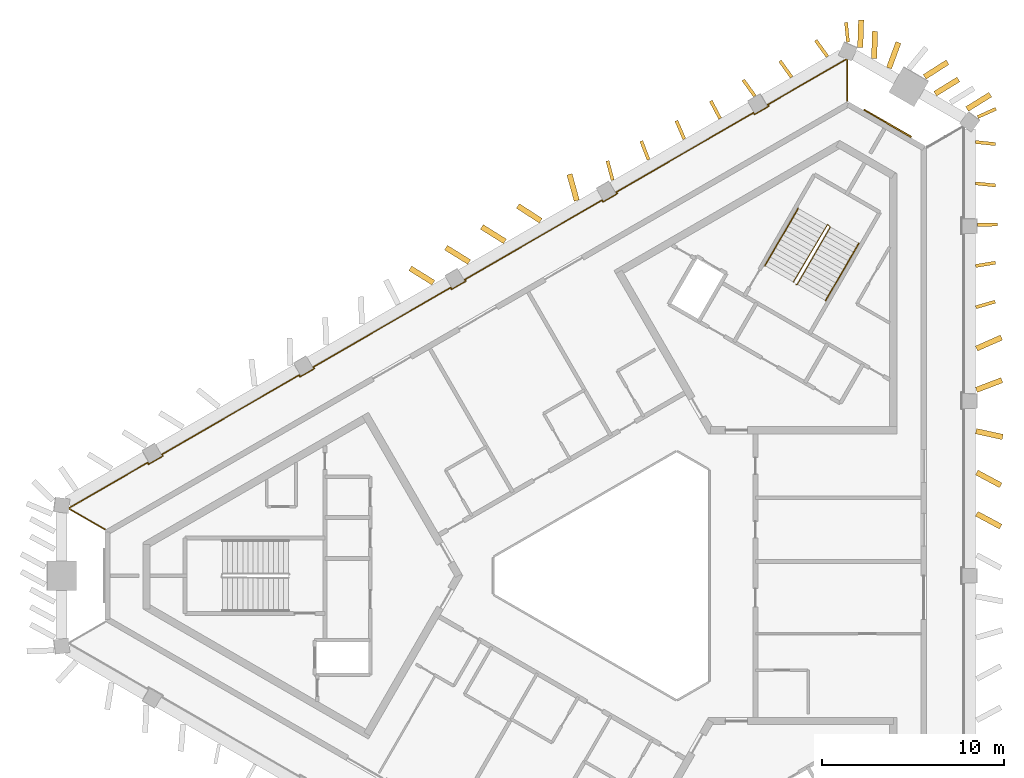
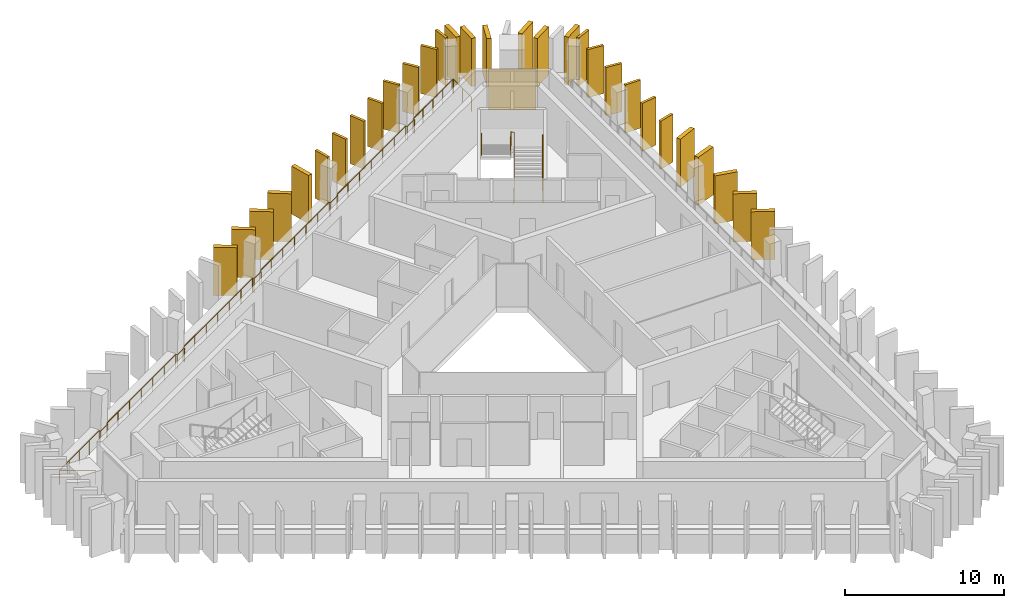
# One storey, part 9 of 10: 30 shading devices, 4 railings, 1 covering.
"""IFC4 building model written with IfcOpenShell, lengths in metres."""

from ifc_helpers import new_model, si_unit, direction, frame, frame_2d, origin, origin_2d, place, context, subcontext, project, spatial, rectangle, circle, extrude, material, layer, layer_set, type_object, element, save


model = new_model("IFC4")

# Units and contexts
model_context = context("Model", 3, precision=1e-05, world=origin(), true_north=direction((0.0, 1.0)))
body_context = subcontext(model_context, "Body", "Model", "MODEL_VIEW")
ifc_project = project(units=[si_unit("LENGTHUNIT", "METRE"), si_unit("AREAUNIT", "SQUARE_METRE"), si_unit("VOLUMEUNIT", "CUBIC_METRE"), si_unit("PLANEANGLEUNIT", "RADIAN"), si_unit("MASSUNIT", "GRAM", prefix="KILO")], contexts=[model_context])

# Site, building, storey
site_placement = place(None, origin())
site = spatial("IfcSite", under=ifc_project, at=site_placement, CompositionType="ELEMENT")
building_placement = place(site_placement, origin())
building = spatial("IfcBuilding", under=site, at=building_placement, Name="Jabali Bay Hotel Tower and Convention Centre", CompositionType="ELEMENT")
storey_placement = place(building_placement, frame((0.0, 0.0, 284.89990234375)))
storey = spatial("IfcBuildingStorey", under=building, at=storey_placement, Name="L70", CompositionType="ELEMENT", Elevation=284.89990234375)

# Railing
ifc_material_1 = material(Name="Glass", Category="glass")
railing_type_1 = type_object("IfcRailingType", Name="Loggia glass guard 1100", PredefinedType="BALUSTRADE", material=ifc_material_1)
railing_1_placement = place(storey_placement, frame((46.308349609375, 82.549560546875, 0.0)))
element("IfcRailing", 1, at=railing_1_placement, inside=storey, type_object=railing_type_1, Name="Loggia glass guard L70", PredefinedType="BALUSTRADE", context=body_context, shape_type="SweptSolid", body=[
    extrude(circle(Radius=0.02490234375, at=origin_2d()), frame((0.0, 0.0, 1.0751953125), z_axis=(-0.865989003036, 0.500063042646, 0.0), x_axis=(-0.495784933994, -0.858580347067, 0.13052619222)), (0.0, 0.0, 1.0), 2.275146484375),
    extrude(circle(Radius=0.02490234375, at=origin_2d()), frame((-1.97021484375, 1.1376953125, 1.0751953125), z_axis=(0.124843395554, 0.9921764594, 0.0), x_axis=(-0.983688252248, 0.123775342998, 0.13052619222)), (0.0, 0.0, 1.0), 0.037109375),
    extrude(circle(Radius=0.02490234375, at=origin_2d()), frame((-1.965576171875, 1.174560546875, 1.0751953125), z_axis=(0.86602359872, 0.50000312645, 0.0), x_axis=(-0.495725530389, 0.85861464678, 0.13052619222)), (0.0, 0.0, 1.0), 4.99462890625),
    extrude(circle(Radius=0.02490234375, at=origin_2d()), frame((2.35986328125, 3.671875, 1.0751953125), z_axis=(0.500074377092, -0.865982457891, 0.0), x_axis=(0.858573857916, 0.495796171473, 0.13052619222)), (0.0, 0.0, 1.0), 0.10009765625),
    extrude(circle(Radius=0.02490234375, at=origin_2d()), frame((2.409912109375, 3.585205078125, 1.0751953125), z_axis=(0.865896406789, 0.500223362819, 0.0), x_axis=(-0.495943882606, 0.858488542993, 0.13052619222)), (0.0, 0.0, 1.0), 0.89990234375),
    extrude(circle(Radius=0.02490234375, at=origin_2d()), frame((3.189208984375, 4.035400390625, 1.0751953125), z_axis=(-0.499298623879, 0.866429964967, 0.0), x_axis=(-0.859017536507, -0.495027054936, 0.13052619222)), (0.0, 0.0, 1.0), 0.099853515625),
    extrude(circle(Radius=0.02490234375, at=origin_2d()), frame((3.139404296875, 4.121826171875, 1.0751953125), z_axis=(0.866019164606, 0.500010806419, 0.0), x_axis=(-0.495733144656, 0.858610250599, 0.13052619222)), (0.0, 0.0, 1.0), 8.721435546875),
    extrude(circle(Radius=0.02490234375, at=origin_2d()), frame((10.6923828125, 8.482666015625, 1.0751953125), z_axis=(0.501132629342, -0.865370491644, 0.0), x_axis=(0.857967127125, 0.496845370228, 0.13052619222)), (0.0, 0.0, 1.0), 0.099853515625),
    extrude(circle(Radius=0.02490234375, at=origin_2d()), frame((10.742431640625, 8.396240234375, 1.0751953125), z_axis=(0.866081705922, 0.499902469156, 0.0), x_axis=(-0.495625734232, 0.858672256866, 0.13052619222)), (0.0, 0.0, 1.0), 0.900146484375),
    extrude(circle(Radius=0.02490234375, at=origin_2d()), frame((11.52197265625, 8.84619140625, 1.0751953125), z_axis=(-0.501132629342, 0.865370491644, 0.0), x_axis=(-0.857967127125, -0.496845370228, 0.13052619222)), (0.0, 0.0, 1.0), 0.099853515625),
    extrude(circle(Radius=0.02490234375, at=origin_2d()), frame((11.471923828125, 8.9326171875, 1.0751953125), z_axis=(0.866019164606, 0.500010806419, 0.0), x_axis=(-0.495733144656, 0.858610250599, 0.13052619222)), (0.0, 0.0, 1.0), 8.721435546875),
    extrude(circle(Radius=0.02490234375, at=origin_2d()), frame((19.02490234375, 13.29345703125, 1.0751953125), z_axis=(0.501132629342, -0.865370491644, 0.0), x_axis=(0.857967127125, 0.496845370228, 0.13052619222)), (0.0, 0.0, 1.0), 0.099853515625),
    extrude(circle(Radius=0.02490234375, at=origin_2d()), frame((19.074951171875, 13.20703125, 1.0751953125), z_axis=(0.866081705922, 0.499902469156, 0.0), x_axis=(-0.495625734232, 0.858672256866, 0.13052619222)), (0.0, 0.0, 1.0), 0.900146484375),
    extrude(circle(Radius=0.02490234375, at=origin_2d()), frame((19.8544921875, 13.656982421875, 1.0751953125), z_axis=(-0.500074377092, 0.865982457891, 0.0), x_axis=(-0.858573857916, -0.495796171473, 0.13052619222)), (0.0, 0.0, 1.0), 0.10009765625),
    extrude(circle(Radius=0.02490234375, at=origin_2d()), frame((19.804443359375, 13.74365234375, 1.0751953125), z_axis=(0.866038283822, 0.499977690457, 0.0), x_axis=(-0.495700312005, 0.858629206248, 0.13052619222)), (0.0, 0.0, 1.0), 8.7216796875),
    extrude(circle(Radius=0.02490234375, at=origin_2d()), frame((27.357666015625, 18.104248046875, 1.0751953125), z_axis=(0.499298623879, -0.866429964967, 0.0), x_axis=(0.859017536507, 0.495027054936, 0.13052619222)), (0.0, 0.0, 1.0), 0.099853515625),
    extrude(circle(Radius=0.02490234375, at=origin_2d()), frame((27.407470703125, 18.017822265625, 1.0751953125), z_axis=(0.866081705922, 0.499902469156, 0.0), x_axis=(-0.495625734232, 0.858672256866, 0.13052619222)), (0.0, 0.0, 1.0), 0.900146484375),
    extrude(circle(Radius=0.02490234375, at=origin_2d()), frame((28.18701171875, 18.4677734375, 1.0751953125), z_axis=(-0.500074377092, 0.865982457891, 0.0), x_axis=(-0.858573857916, -0.495796171473, 0.13052619222)), (0.0, 0.0, 1.0), 0.10009765625),
    extrude(circle(Radius=0.02490234375, at=origin_2d()), frame((28.136962890625, 18.554443359375, 1.0751953125), z_axis=(0.866038283822, 0.499977690457, 0.0), x_axis=(-0.495700312005, 0.858629206248, 0.13052619222)), (0.0, 0.0, 1.0), 8.7216796875),
    extrude(circle(Radius=0.02490234375, at=origin_2d()), frame((35.690185546875, 22.9150390625, 1.0751953125), z_axis=(0.501132629342, -0.865370491644, 0.0), x_axis=(0.857967127125, 0.496845370228, 0.13052619222)), (0.0, 0.0, 1.0), 0.099853515625),
    extrude(circle(Radius=0.02490234375, at=origin_2d()), frame((35.740234375, 22.82861328125, 1.0751953125), z_axis=(0.866013897511, 0.50001992892, 0.0), x_axis=(-0.495742189112, 0.858605028566, 0.13052619222)), (0.0, 0.0, 1.0), 0.89990234375),
    extrude(circle(Radius=0.02490234375, at=origin_2d()), frame((36.51953125, 23.278564453125, 1.0751953125), z_axis=(-0.500074377092, 0.865982457891, 0.0), x_axis=(-0.858573857916, -0.495796171473, 0.13052619222)), (0.0, 0.0, 1.0), 0.10009765625),
    extrude(circle(Radius=0.02490234375, at=origin_2d()), frame((36.469482421875, 23.365234375, 1.0751953125), z_axis=(0.86602359872, 0.50000312645, 0.0), x_axis=(-0.495725530389, 0.85861464678, 0.13052619222)), (0.0, 0.0, 1.0), 4.99462890625),
    extrude(circle(Radius=0.02490234375, at=origin_2d()), frame((40.794921875, 25.862548828125, 1.0751953125), z_axis=(0.920154635629, -0.391555164097, 0.0), x_axis=(0.388205355389, 0.912282585163, 0.13052619222)), (0.0, 0.0, 1.0), 0.037353515625),
    extrude(circle(Radius=0.02490234375, at=origin_2d()), frame((40.829345703125, 25.847900390625, 1.0751953125), z_axis=(0.0, -1.0, 0.0), x_axis=(0.991444861374, 0.0, 0.13052619222)), (0.0, 0.0, 1.0), 2.27490234375),
    extrude(circle(Radius=0.02001953125, at=origin_2d()), origin(), (0.0, 0.0, 1.0), 1.050048828125),
    extrude(circle(Radius=0.02001953125, at=origin_2d()), frame((-0.985107421875, 0.56884765625, 0.0)), (0.0, 0.0, 1.0), 1.050048828125),
    extrude(circle(Radius=0.02001953125, at=origin_2d()), frame((-1.97021484375, 1.1376953125, 0.0)), (0.0, 0.0, 1.0), 1.050048828125),
    extrude(circle(Radius=0.02001953125, at=origin_2d()), frame((-1.965576171875, 1.174560546875, 0.0)), (0.0, 0.0, 1.0), 1.050048828125),
    extrude(circle(Radius=0.02001953125, at=origin_2d()), frame((-0.88427734375, 1.798828125, 0.0)), (0.0, 0.0, 1.0), 1.050048828125),
    extrude(circle(Radius=0.02001953125, at=origin_2d()), frame((0.197265625, 2.42333984375, 0.0)), (0.0, 0.0, 1.0), 1.050048828125),
    extrude(circle(Radius=0.02001953125, at=origin_2d()), frame((1.278564453125, 3.047607421875, 0.0)), (0.0, 0.0, 1.0), 1.050048828125),
    extrude(circle(Radius=0.02001953125, at=origin_2d()), frame((2.35986328125, 3.671875, 0.0)), (0.0, 0.0, 1.0), 1.050048828125),
    extrude(circle(Radius=0.02001953125, at=origin_2d()), frame((2.409912109375, 3.585205078125, 0.0)), (0.0, 0.0, 1.0), 1.050048828125),
    extrude(circle(Radius=0.02001953125, at=origin_2d()), frame((3.189208984375, 4.035400390625, 0.0)), (0.0, 0.0, 1.0), 1.050048828125),
    extrude(circle(Radius=0.02001953125, at=origin_2d()), frame((3.139404296875, 4.121826171875, 0.0)), (0.0, 0.0, 1.0), 1.050048828125),
    extrude(circle(Radius=0.02001953125, at=origin_2d()), frame((4.398193359375, 4.8486328125, 0.0)), (0.0, 0.0, 1.0), 1.050048828125),
    extrude(circle(Radius=0.02001953125, at=origin_2d()), frame((5.656982421875, 5.575439453125, 0.0)), (0.0, 0.0, 1.0), 1.050048828125),
    extrude(circle(Radius=0.02001953125, at=origin_2d()), frame((6.916015625, 6.30224609375, 0.0)), (0.0, 0.0, 1.0), 1.050048828125),
    extrude(circle(Radius=0.02001953125, at=origin_2d()), frame((8.1748046875, 7.029052734375, 0.0)), (0.0, 0.0, 1.0), 1.050048828125),
    extrude(circle(Radius=0.02001953125, at=origin_2d()), frame((9.43359375, 7.755859375, 0.0)), (0.0, 0.0, 1.0), 1.050048828125),
    extrude(circle(Radius=0.02001953125, at=origin_2d()), frame((10.6923828125, 8.482666015625, 0.0)), (0.0, 0.0, 1.0), 1.050048828125),
    extrude(circle(Radius=0.02001953125, at=origin_2d()), frame((10.742431640625, 8.396240234375, 0.0)), (0.0, 0.0, 1.0), 1.050048828125),
    extrude(circle(Radius=0.02001953125, at=origin_2d()), frame((11.52197265625, 8.84619140625, 0.0)), (0.0, 0.0, 1.0), 1.050048828125),
    extrude(circle(Radius=0.02001953125, at=origin_2d()), frame((11.471923828125, 8.9326171875, 0.0)), (0.0, 0.0, 1.0), 1.050048828125),
    extrude(circle(Radius=0.02001953125, at=origin_2d()), frame((12.730712890625, 9.659423828125, 0.0)), (0.0, 0.0, 1.0), 1.050048828125),
    extrude(circle(Radius=0.02001953125, at=origin_2d()), frame((13.989501953125, 10.38623046875, 0.0)), (0.0, 0.0, 1.0), 1.050048828125),
    extrude(circle(Radius=0.02001953125, at=origin_2d()), frame((15.24853515625, 11.113037109375, 0.0)), (0.0, 0.0, 1.0), 1.050048828125),
    extrude(circle(Radius=0.02001953125, at=origin_2d()), frame((16.50732421875, 11.83984375, 0.0)), (0.0, 0.0, 1.0), 1.050048828125),
    extrude(circle(Radius=0.02001953125, at=origin_2d()), frame((17.76611328125, 12.566650390625, 0.0)), (0.0, 0.0, 1.0), 1.050048828125),
    extrude(circle(Radius=0.02001953125, at=origin_2d()), frame((19.02490234375, 13.29345703125, 0.0)), (0.0, 0.0, 1.0), 1.050048828125),
    extrude(circle(Radius=0.02001953125, at=origin_2d()), frame((19.074951171875, 13.20703125, 0.0)), (0.0, 0.0, 1.0), 1.050048828125),
    extrude(circle(Radius=0.02001953125, at=origin_2d()), frame((19.8544921875, 13.656982421875, 0.0)), (0.0, 0.0, 1.0), 1.050048828125),
    extrude(circle(Radius=0.02001953125, at=origin_2d()), frame((19.804443359375, 13.74365234375, 0.0)), (0.0, 0.0, 1.0), 1.050048828125),
    extrude(circle(Radius=0.02001953125, at=origin_2d()), frame((21.063232421875, 14.470458984375, 0.0)), (0.0, 0.0, 1.0), 1.050048828125),
    extrude(circle(Radius=0.02001953125, at=origin_2d()), frame((22.322265625, 15.197265625, 0.0)), (0.0, 0.0, 1.0), 1.050048828125),
    extrude(circle(Radius=0.02001953125, at=origin_2d()), frame((23.5810546875, 15.923828125, 0.0)), (0.0, 0.0, 1.0), 1.050048828125),
    extrude(circle(Radius=0.02001953125, at=origin_2d()), frame((24.83984375, 16.650634765625, 0.0)), (0.0, 0.0, 1.0), 1.050048828125),
    extrude(circle(Radius=0.02001953125, at=origin_2d()), frame((26.098876953125, 17.37744140625, 0.0)), (0.0, 0.0, 1.0), 1.050048828125),
    extrude(circle(Radius=0.02001953125, at=origin_2d()), frame((27.357666015625, 18.104248046875, 0.0)), (0.0, 0.0, 1.0), 1.050048828125),
    extrude(circle(Radius=0.02001953125, at=origin_2d()), frame((27.407470703125, 18.017822265625, 0.0)), (0.0, 0.0, 1.0), 1.050048828125),
    extrude(circle(Radius=0.02001953125, at=origin_2d()), frame((28.18701171875, 18.4677734375, 0.0)), (0.0, 0.0, 1.0), 1.050048828125),
    extrude(circle(Radius=0.02001953125, at=origin_2d()), frame((28.136962890625, 18.554443359375, 0.0)), (0.0, 0.0, 1.0), 1.050048828125),
    extrude(circle(Radius=0.02001953125, at=origin_2d()), frame((29.395751953125, 19.28125, 0.0)), (0.0, 0.0, 1.0), 1.050048828125),
    extrude(circle(Radius=0.02001953125, at=origin_2d()), frame((30.65478515625, 20.008056640625, 0.0)), (0.0, 0.0, 1.0), 1.050048828125),
    extrude(circle(Radius=0.02001953125, at=origin_2d()), frame((31.91357421875, 20.73486328125, 0.0)), (0.0, 0.0, 1.0), 1.050048828125),
    extrude(circle(Radius=0.02001953125, at=origin_2d()), frame((33.17236328125, 21.46142578125, 0.0)), (0.0, 0.0, 1.0), 1.050048828125),
    extrude(circle(Radius=0.02001953125, at=origin_2d()), frame((34.431396484375, 22.188232421875, 0.0)), (0.0, 0.0, 1.0), 1.050048828125),
    extrude(circle(Radius=0.02001953125, at=origin_2d()), frame((35.690185546875, 22.9150390625, 0.0)), (0.0, 0.0, 1.0), 1.050048828125),
    extrude(circle(Radius=0.02001953125, at=origin_2d()), frame((35.740234375, 22.82861328125, 0.0)), (0.0, 0.0, 1.0), 1.050048828125),
    extrude(circle(Radius=0.02001953125, at=origin_2d()), frame((36.51953125, 23.278564453125, 0.0)), (0.0, 0.0, 1.0), 1.050048828125),
    extrude(circle(Radius=0.02001953125, at=origin_2d()), frame((36.469482421875, 23.365234375, 0.0)), (0.0, 0.0, 1.0), 1.050048828125),
    extrude(circle(Radius=0.02001953125, at=origin_2d()), frame((37.55078125, 23.989501953125, 0.0)), (0.0, 0.0, 1.0), 1.050048828125),
    extrude(circle(Radius=0.02001953125, at=origin_2d()), frame((38.63232421875, 24.61376953125, 0.0)), (0.0, 0.0, 1.0), 1.050048828125),
    extrude(circle(Radius=0.02001953125, at=origin_2d()), frame((39.713623046875, 25.23828125, 0.0)), (0.0, 0.0, 1.0), 1.050048828125),
    extrude(circle(Radius=0.02001953125, at=origin_2d()), frame((40.794921875, 25.862548828125, 0.0)), (0.0, 0.0, 1.0), 1.050048828125),
    extrude(circle(Radius=0.02001953125, at=origin_2d()), frame((40.829345703125, 25.847900390625, 0.0)), (0.0, 0.0, 1.0), 1.050048828125),
    extrude(circle(Radius=0.02001953125, at=origin_2d()), frame((40.829345703125, 24.71044921875, 0.0)), (0.0, 0.0, 1.0), 1.050048828125),
    extrude(circle(Radius=0.02001953125, at=origin_2d()), frame((40.829345703125, 23.572998046875, 0.0)), (0.0, 0.0, 1.0), 1.050048828125),
])

# Shading devices
ifc_material_2 = material(Name="Precast concrete C60", Category="concrete")
ifc_layer_1 = layer(ifc_material_2, 0.179931640625)
ifc_layer_set_1 = layer_set([ifc_layer_1], Name="Precast concrete C60")
shading_device_type_1 = type_object("IfcShadingDeviceType", Name="Precast fin 3680 x 1100", PredefinedType="USERDEFINED", material=ifc_layer_set_1)
shading_device_1_placement = place(storey_placement, frame((94.221435546875, 94.76513671875, 0.010009765625), z_axis=(0.0, 0.0, 1.0), x_axis=(0.960163902038, 0.279437437047, 0.0)))
element("IfcShadingDevice", 2, at=shading_device_1_placement, inside=storey, type_object=shading_device_type_1, Name="Fin L70 017", ObjectType="FIN", PredefinedType="USERDEFINED", context=body_context, shape_type="SweptSolid", body=[
    extrude(rectangle(XDim=1.099853515625, YDim=0.179931640625, at=frame_2d((0.5498046875, 0.0))), origin(), (0.0, 0.0, 1.0), 3.68017578125),
])
shading_device_2_placement = place(storey_placement, frame((94.2109375, 97.036865234375, 0.010009765625), z_axis=(0.0, 0.0, 1.0), x_axis=(0.986531540349, 0.163571146285, 0.0)))
element("IfcShadingDevice", 3, at=shading_device_2_placement, inside=storey, type_object=shading_device_type_1, Name="Fin L70 018", ObjectType="FIN", PredefinedType="USERDEFINED", context=body_context, shape_type="SweptSolid", body=[
    extrude(rectangle(XDim=1.10009765625, YDim=0.179931640625, at=frame_2d((0.550048828125, 0.0))), origin(), (0.0, 0.0, 1.0), 3.68017578125),
])
shading_device_3_placement = place(storey_placement, frame((94.30419921875, 99.308349609375, 0.010009765625), z_axis=(0.0, 0.0, 1.0), x_axis=(0.999991106313, 0.004217498562, 0.0)))
element("IfcShadingDevice", 4, at=shading_device_3_placement, inside=storey, type_object=shading_device_type_1, Name="Fin L70 019", ObjectType="FIN", PredefinedType="USERDEFINED", context=body_context, shape_type="SweptSolid", body=[
    extrude(rectangle(XDim=1.099853515625, YDim=0.179931640625, at=frame_2d((0.5498046875, 0.0))), origin(), (0.0, 0.0, 1.0), 3.68017578125),
])
for number, where, z_axis, x_axis, name in (
    (5, (94.20556640625, 101.580078125, 0.010009765625), (0.0, 0.0, 1.0), (0.994498153958, -0.104754101466, 0.0), "Fin L70 020"),
    (6, (94.205322265625, 103.8515625, 0.010009765625), (0.0, 0.0, 1.0), (0.994911154458, -0.100756115129, 0.0), "Fin L70 021"),
    (7, (86.053466796875, 108.557861328125, 0.010009765625), (0.0, 0.0, 1.0), (-0.583251843698, 0.812291380493, 0.0), "Fin L70 030"),
    (8, (84.086181640625, 107.422119140625, 0.010009765625), (0.0, 0.0, 1.0), (-0.583649766244, 0.812005511288, 0.0), "Fin L70 031"),
):
    element("IfcShadingDevice", number, at=place(storey_placement, frame(where, z_axis=z_axis, x_axis=x_axis)), inside=storey, type_object=shading_device_type_1, Name=name, ObjectType="FIN", PredefinedType="USERDEFINED", context=body_context, shape_type="SweptSolid", body=[
        extrude(rectangle(XDim=1.10009765625, YDim=0.179931640625, at=frame_2d((0.550048828125, 0.0))), origin(), (0.0, 0.0, 1.0), 3.68017578125),
    ])
shading_device_4_placement = place(storey_placement, frame((82.065185546875, 106.379638671875, 0.010009765625), z_axis=(0.0, 0.0, 1.0), x_axis=(-0.584655511421, 0.811281660685, 0.0)))
element("IfcShadingDevice", 9, at=shading_device_4_placement, inside=storey, type_object=shading_device_type_1, Name="Fin L70 032", ObjectType="FIN", PredefinedType="USERDEFINED", context=body_context, shape_type="SweptSolid", body=[
    extrude(rectangle(XDim=1.099853515625, YDim=0.179931640625, at=frame_2d((0.5498046875, 0.0))), origin(), (0.0, 0.0, 1.0), 3.68017578125),
])
shading_device_5_placement = place(storey_placement, frame((80.154541015625, 105.145751953125, 0.010009765625), z_axis=(0.0, 0.0, 1.0), x_axis=(-0.468744081519, 0.883334017256, 0.0)))
element("IfcShadingDevice", 10, at=shading_device_5_placement, inside=storey, type_object=shading_device_type_1, Name="Fin L70 033", ObjectType="FIN", PredefinedType="USERDEFINED", context=body_context, shape_type="SweptSolid", body=[
    extrude(rectangle(XDim=1.10009765625, YDim=0.179931640625, at=frame_2d((0.550048828125, 0.0))), origin(), (0.0, 0.0, 1.0), 3.68017578125),
])
for number, where, z_axis, x_axis, name in (
    (11, (78.183837890625, 104.01611328125, 0.010009765625), (0.0, 0.0, 1.0), (-0.397345778895, 0.917668966455, 0.0), "Fin L70 034"),
    (12, (76.21484375, 102.88330078125, 0.010009765625), (0.0, 0.0, 1.0), (-0.361342777702, 0.93243305229, 0.0), "Fin L70 035"),
    (13, (74.242919921875, 101.755615234375, 0.010009765625), (0.0, 0.0, 1.0), (-0.258795254151, 0.965932200741, 0.0), "Fin L70 036"),
):
    element("IfcShadingDevice", number, at=place(storey_placement, frame(where, z_axis=z_axis, x_axis=x_axis)), inside=storey, type_object=shading_device_type_1, Name=name, ObjectType="FIN", PredefinedType="USERDEFINED", context=body_context, shape_type="SweptSolid", body=[
        extrude(rectangle(XDim=1.099853515625, YDim=0.179931640625, at=frame_2d((0.5498046875, 0.0))), origin(), (0.0, 0.0, 1.0), 3.68017578125),
    ])
for number, where, z_axis, x_axis, name in (
    (14, (94.320068359375, 105.227783203125, 0.010009765625), (0.0, 0.0, 1.0), (0.911722068497, 0.41080758247, 0.0), "Fin L70 091"),
    (15, (87.187744140625, 109.345458984375, 0.010009765625), (0.0, 0.0, 1.0), (-0.098976370127, 0.995089783967, 0.0), "Fin L70 092"),
):
    element("IfcShadingDevice", number, at=place(storey_placement, frame(where, z_axis=z_axis, x_axis=x_axis)), inside=storey, type_object=shading_device_type_1, Name=name, ObjectType="FIN", PredefinedType="USERDEFINED", context=body_context, shape_type="SweptSolid", body=[
        extrude(rectangle(XDim=1.10009765625, YDim=0.179931640625, at=frame_2d((0.550048828125, 0.0))), origin(), (0.0, 0.0, 1.0), 3.68017578125),
    ])
ifc_layer_2 = layer(ifc_material_2, 0.300048828125)
ifc_layer_set_2 = layer_set([ifc_layer_2], Name="Precast concrete C60")
shading_device_type_2 = type_object("IfcShadingDeviceType", Name="Precast fin 3680 x 1500", PredefinedType="USERDEFINED", material=ifc_layer_set_2)
shading_device_6_placement = place(storey_placement, frame((94.26708984375, 83.407470703125, 0.010009765625), z_axis=(0.0, 0.0, 1.0), x_axis=(0.881097417694, -0.472934816368, 0.0)))
element("IfcShadingDevice", 16, at=shading_device_6_placement, inside=storey, type_object=shading_device_type_2, Name="Fin L70 012", ObjectType="FIN", PredefinedType="USERDEFINED", context=body_context, shape_type="SweptSolid", body=[
    extrude(rectangle(XDim=1.500244140625, YDim=0.300048828125, at=frame_2d((0.75, 0.0))), origin(), (0.0, 0.0, 1.0), 3.68017578125),
])
for number, where, z_axis, x_axis, name in (
    (17, (94.26708984375, 85.678955078125, 0.010009765625), (0.0, 0.0, 1.0), (0.881404945514, -0.472361431557, 0.0), "Fin L70 013"),
    (18, (94.228271484375, 87.950439453125, 0.010009765625), (0.0, 0.0, 1.0), (0.977041023503, -0.213051257665, 0.0), "Fin L70 014"),
):
    element("IfcShadingDevice", number, at=place(storey_placement, frame(where, z_axis=z_axis, x_axis=x_axis)), inside=storey, type_object=shading_device_type_2, Name=name, ObjectType="FIN", PredefinedType="USERDEFINED", context=body_context, shape_type="SweptSolid", body=[
        extrude(rectangle(XDim=1.5, YDim=0.300048828125, at=frame_2d((0.75, 0.0))), origin(), (0.0, 0.0, 1.0), 3.68017578125),
    ])
shading_device_7_placement = place(storey_placement, frame((94.249755859375, 90.22216796875, 0.010009765625), z_axis=(0.0, 0.0, 1.0), x_axis=(0.934361319547, 0.356326991026, 0.0)))
element("IfcShadingDevice", 19, at=shading_device_7_placement, inside=storey, type_object=shading_device_type_2, Name="Fin L70 015", ObjectType="FIN", PredefinedType="USERDEFINED", context=body_context, shape_type="SweptSolid", body=[
    extrude(rectangle(XDim=1.499755859375, YDim=0.300048828125, at=frame_2d((0.75, 0.0))), origin(), (0.0, 0.0, 1.0), 3.68017578125),
])
shading_device_8_placement = place(storey_placement, frame((94.257080078125, 92.49365234375, 0.010009765625), z_axis=(0.0, 0.0, 1.0), x_axis=(0.91390548953, 0.405927033106, 0.0)))
element("IfcShadingDevice", 20, at=shading_device_8_placement, inside=storey, type_object=shading_device_type_2, Name="Fin L70 016", ObjectType="FIN", PredefinedType="USERDEFINED", context=body_context, shape_type="SweptSolid", body=[
    extrude(rectangle(XDim=1.5, YDim=0.300048828125, at=frame_2d((0.75, 0.0))), origin(), (0.0, 0.0, 1.0), 3.68017578125),
])
for number, where, z_axis, x_axis, name in (
    (21, (93.73779296875, 105.669189453125, 0.010009765625), (0.0, 0.0, 1.0), (0.850185364679, 0.526483471427, 0.0), "Fin L70 022"),
    (22, (91.98388671875, 106.5087890625, 0.010009765625), (0.0, 0.0, 1.0), (0.850185364679, 0.526483471427, 0.0), "Fin L70 024"),
):
    element("IfcShadingDevice", number, at=place(storey_placement, frame(where, z_axis=z_axis, x_axis=x_axis)), inside=storey, type_object=shading_device_type_2, Name=name, ObjectType="FIN", PredefinedType="USERDEFINED", context=body_context, shape_type="SweptSolid", body=[
        extrude(rectangle(XDim=1.500244140625, YDim=0.300048828125, at=frame_2d((0.75, 0.0))), origin(), (0.0, 0.0, 1.0), 3.68017578125),
    ])
shading_device_9_placement = place(storey_placement, frame((91.39990234375, 107.43603515625, 0.010009765625), z_axis=(0.0, 0.0, 1.0), x_axis=(0.843218898519, 0.537570357423, 0.0)))
element("IfcShadingDevice", 23, at=shading_device_9_placement, inside=storey, type_object=shading_device_type_2, Name="Fin L70 025", ObjectType="FIN", PredefinedType="USERDEFINED", context=body_context, shape_type="SweptSolid", body=[
    extrude(rectangle(XDim=1.5, YDim=0.300048828125, at=frame_2d((0.75, 0.0))), origin(), (0.0, 0.0, 1.0), 3.68017578125),
])
shading_device_10_placement = place(storey_placement, frame((89.442626953125, 107.923583984375, 0.010009765625), z_axis=(0.0, 0.0, 1.0), x_axis=(0.345909025094, 0.938268056772, 0.0)))
element("IfcShadingDevice", 24, at=shading_device_10_placement, inside=storey, type_object=shading_device_type_2, Name="Fin L70 027", ObjectType="FIN", PredefinedType="USERDEFINED", context=body_context, shape_type="SweptSolid", body=[
    extrude(rectangle(XDim=1.499755859375, YDim=0.300048828125, at=frame_2d((0.75, 0.0))), origin(), (0.0, 0.0, 1.0), 3.68017578125),
])
shading_device_11_placement = place(storey_placement, frame((88.6259765625, 108.447509765625, 0.010009765625), z_axis=(0.0, 0.0, 1.0), x_axis=(0.030757177056, 0.999526886111, 0.0)))
element("IfcShadingDevice", 25, at=shading_device_11_placement, inside=storey, type_object=shading_device_type_2, Name="Fin L70 028", ObjectType="FIN", PredefinedType="USERDEFINED", context=body_context, shape_type="SweptSolid", body=[
    extrude(rectangle(XDim=1.500244140625, YDim=0.300048828125, at=frame_2d((0.75, 0.0))), origin(), (0.0, 0.0, 1.0), 3.68017578125),
])
for number, where, z_axis, x_axis, name in (
    (26, (87.861328125, 109.06201171875, 0.010009765625), (0.0, 0.0, 1.0), (0.030924788426, 0.999521714352, 0.0), "Fin L70 029"),
    (27, (72.268310546875, 100.63232421875, 0.010009765625), (0.0, 0.0, 1.0), (-0.266779072637, 0.963757711462, 0.0), "Fin L70 037"),
):
    element("IfcShadingDevice", number, at=place(storey_placement, frame(where, z_axis=z_axis, x_axis=x_axis)), inside=storey, type_object=shading_device_type_2, Name=name, ObjectType="FIN", PredefinedType="USERDEFINED", context=body_context, shape_type="SweptSolid", body=[
        extrude(rectangle(XDim=1.5, YDim=0.300048828125, at=frame_2d((0.75, 0.0))), origin(), (0.0, 0.0, 1.0), 3.68017578125),
    ])
shading_device_12_placement = place(storey_placement, frame((70.285888671875, 99.52294921875, 0.010009765625), z_axis=(0.0, 0.0, 1.0), x_axis=(-0.838651824232, 0.544667896716, 0.0)))
element("IfcShadingDevice", 28, at=shading_device_12_placement, inside=storey, type_object=shading_device_type_2, Name="Fin L70 038", ObjectType="FIN", PredefinedType="USERDEFINED", context=body_context, shape_type="SweptSolid", body=[
    extrude(rectangle(XDim=1.499755859375, YDim=0.300048828125, at=frame_2d((0.75, 0.0))), origin(), (0.0, 0.0, 1.0), 3.68017578125),
])
for number, where, z_axis, x_axis, name in (
    (29, (68.317626953125, 98.38916015625, 0.010009765625), (0.0, 0.0, 1.0), (-0.84794343888, 0.530086714095, 0.0), "Fin L70 039"),
    (30, (66.35009765625, 97.253662109375, 0.010009765625), (0.0, 0.0, 1.0), (-0.849758336342, 0.527172428924, 0.0), "Fin L70 040"),
    (31, (64.3828125, 96.117919921875, 0.010009765625), (0.0, 0.0, 1.0), (-0.850067379866, 0.526673950076, 0.0), "Fin L70 041"),
):
    element("IfcShadingDevice", number, at=place(storey_placement, frame(where, z_axis=z_axis, x_axis=x_axis)), inside=storey, type_object=shading_device_type_2, Name=name, ObjectType="FIN", PredefinedType="USERDEFINED", context=body_context, shape_type="SweptSolid", body=[
        extrude(rectangle(XDim=1.5, YDim=0.300048828125, at=frame_2d((0.75, 0.0))), origin(), (0.0, 0.0, 1.0), 3.68017578125),
    ])

# Covering
ifc_material_3 = material(Name="Precast concrete C40/50", Category="concrete")
ifc_layer_3 = layer(ifc_material_3, 0.080078125)
ifc_layer_set_3 = layer_set([ifc_layer_3], Name="Precast concrete C40/50")
covering_type = type_object("IfcCoveringType", Name="Relief panel 3000 x 3100", PredefinedType="CLADDING", material=ifc_layer_set_3)
covering_placement = place(storey_placement, frame((89.36572265625, 104.88232421875, 0.10009765625), z_axis=(0.0, 0.0, 1.0), x_axis=(0.866025383347, -0.500000035399, 0.0)))
element("IfcCovering", 32, at=covering_placement, inside=storey, type_object=covering_type, Name="Relief panel L70", PredefinedType="CLADDING", context=body_context, shape_type="SweptSolid", body=[
    extrude(rectangle(XDim=3.0, YDim=0.080078125, at=origin_2d()), origin(), (0.0, 0.0, 1.0), 3.10009765625),
])

# Railings
ifc_material_4 = material(Name="Steel Q355B", Category="steel")
railing_type_2 = type_object("IfcRailingType", Name="Stair guard 1100", PredefinedType="GUARDRAIL", material=ifc_material_4)
railing_2_placement = place(storey_placement, frame((84.329833984375, 96.010009765625, 0.0)))
element("IfcRailing", 33, at=railing_2_placement, inside=storey, type_object=railing_type_2, Name="L70 ST2 stair guard 1", PredefinedType="GUARDRAIL", context=body_context, shape_type="SweptSolid", body=[
    extrude(circle(Radius=0.02392578125, at=origin_2d()), frame((0.0, 0.0, 1.076171875), z_axis=(0.455547195254, 0.122021570157, 0.88180921367), x_axis=(-0.258736085224, 0.965948051503, 0.0)), (0.0, 0.0, 1.0), 0.150146484375),
    extrude(circle(Radius=0.02392578125, at=origin_2d()), frame((0.068359375, 0.018310546875, 1.20849609375), z_axis=(0.452190331055, 0.783190014029, 0.426775475427), x_axis=(-0.866018046521, 0.500012742938, 0.0)), (0.0, 0.0, 1.0), 4.02490234375),
    extrude(circle(Radius=0.02392578125, at=origin_2d()), frame((1.888427734375, 3.170654296875, 2.92626953125), z_axis=(-0.718850276695, 0.695164929852, 0.0), x_axis=(-0.695164929852, -0.718850276695, 0.0)), (0.0, 0.0, 1.0), 0.2060546875),
    extrude(circle(Radius=0.02392578125, at=origin_2d()), frame((1.740234375, 3.31396484375, 2.92626953125), z_axis=(-0.457445338502, -0.768046879266, 0.448160410493), x_axis=(0.859157857954, -0.511710636118, 0.0)), (0.0, 0.0, 1.0), 4.128173828125),
    extrude(circle(Radius=0.02099609375, at=origin_2d()), origin(), (0.0, 0.0, 1.0), 1.052001953125),
    extrude(circle(Radius=0.02099609375, at=origin_2d()), frame((0.068359375, 0.018310546875, 0.13232421875)), (0.0, 0.0, 1.0), 1.052001953125),
    extrude(circle(Radius=0.02099609375, at=origin_2d()), frame((0.5234375, 0.806396484375, 0.561767578125)), (0.0, 0.0, 1.0), 1.052001953125),
    extrude(circle(Radius=0.02099609375, at=origin_2d()), frame((0.978515625, 1.594482421875, 0.9912109375)), (0.0, 0.0, 1.0), 1.052001953125),
    extrude(circle(Radius=0.02099609375, at=origin_2d()), frame((1.433349609375, 2.382568359375, 1.420654296875)), (0.0, 0.0, 1.0), 1.052001953125),
    extrude(circle(Radius=0.02099609375, at=origin_2d()), frame((1.888427734375, 3.170654296875, 1.85009765625)), (0.0, 0.0, 1.0), 1.052001953125),
    extrude(circle(Radius=0.02099609375, at=origin_2d()), frame((1.740234375, 3.31396484375, 1.85009765625)), (0.0, 0.0, 1.0), 1.052001953125),
    extrude(circle(Radius=0.02099609375, at=origin_2d()), frame((1.26806640625, 2.521240234375, 2.3125)), (0.0, 0.0, 1.0), 1.052001953125),
    extrude(circle(Radius=0.02099609375, at=origin_2d()), frame((0.7958984375, 1.728515625, 2.775146484375)), (0.0, 0.0, 1.0), 1.052001953125),
    extrude(circle(Radius=0.02099609375, at=origin_2d()), frame((0.323974609375, 0.93603515625, 3.23779296875)), (0.0, 0.0, 1.0), 1.052001953125),
    extrude(circle(Radius=0.02099609375, at=origin_2d()), frame((-0.148193359375, 0.143310546875, 3.7001953125)), (0.0, 0.0, 1.0), 1.052001953125),
])
railing_type_3 = type_object("IfcRailingType", Name="Stair handrail 900", PredefinedType="HANDRAIL", material=ifc_material_4)
railing_3_placement = place(storey_placement, frame((85.95703125, 95.128173828125, 0.13232421875)))
element("IfcRailing", 34, at=railing_3_placement, inside=storey, type_object=railing_type_3, Name="L70 ST2 stair handrail 1", PredefinedType="HANDRAIL", context=body_context, shape_type="SweptSolid", body=[
    extrude(circle(Radius=0.02392578125, at=origin_2d()), frame((0.0, 0.0, 0.8759765625), z_axis=(0.452190331055, 0.783190014029, 0.426775475427), x_axis=(-0.866018046521, 0.500012742938, 0.0)), (0.0, 0.0, 1.0), 4.02490234375),
    extrude(circle(Radius=0.02099609375, at=origin_2d()), origin(), (0.0, 0.0, 1.0), 0.851806640625),
    extrude(circle(Radius=0.02099609375, at=origin_2d()), frame((0.455078125, 0.7880859375, 0.429443359375)), (0.0, 0.0, 1.0), 0.851806640625),
    extrude(circle(Radius=0.02099609375, at=origin_2d()), frame((0.91015625, 1.576171875, 0.85888671875)), (0.0, 0.0, 1.0), 0.851806640625),
    extrude(circle(Radius=0.02099609375, at=origin_2d()), frame((1.364990234375, 2.3642578125, 1.288330078125)), (0.0, 0.0, 1.0), 0.851806640625),
    extrude(circle(Radius=0.02099609375, at=origin_2d()), frame((1.820068359375, 3.15234375, 1.7177734375)), (0.0, 0.0, 1.0), 0.851806640625),
])
railing_4_placement = place(storey_placement, frame((84.44287109375, 100.20556640625, 1.982177734375)))
element("IfcRailing", 35, at=railing_4_placement, inside=storey, type_object=railing_type_3, Name="L70 ST2 stair handrail 2", PredefinedType="HANDRAIL", context=body_context, shape_type="SweptSolid", body=[
    extrude(circle(Radius=0.02392578125, at=origin_2d()), frame((0.0, 0.0, 0.8759765625), z_axis=(-0.45217862506, -0.783169739339, 0.426825081763), x_axis=(0.866018046521, -0.500012742938, 0.0)), (0.0, 0.0, 1.0), 4.025146484375),
    extrude(circle(Radius=0.02099609375, at=origin_2d()), origin(), (0.0, 0.0, 1.0), 0.851806640625),
    extrude(circle(Radius=0.02099609375, at=origin_2d()), frame((-0.455078125, -0.7880859375, 0.429443359375)), (0.0, 0.0, 1.0), 0.851806640625),
    extrude(circle(Radius=0.02099609375, at=origin_2d()), frame((-0.91015625, -1.576171875, 0.85888671875)), (0.0, 0.0, 1.0), 0.851806640625),
    extrude(circle(Radius=0.02099609375, at=origin_2d()), frame((-1.364990234375, -2.3642578125, 1.28857421875)), (0.0, 0.0, 1.0), 0.851806640625),
    extrude(circle(Radius=0.02099609375, at=origin_2d()), frame((-1.820068359375, -3.15234375, 1.718017578125)), (0.0, 0.0, 1.0), 0.851806640625),
])

save(model, "model.ifc")
